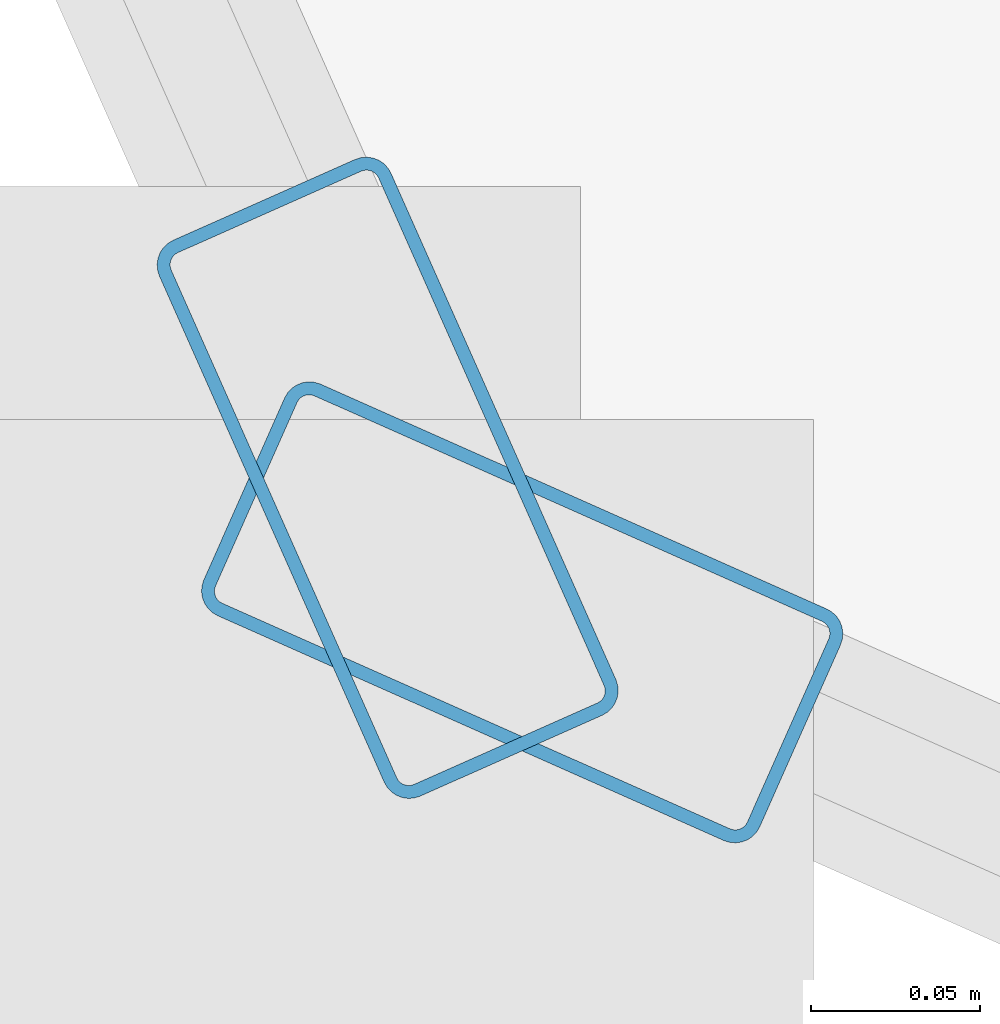
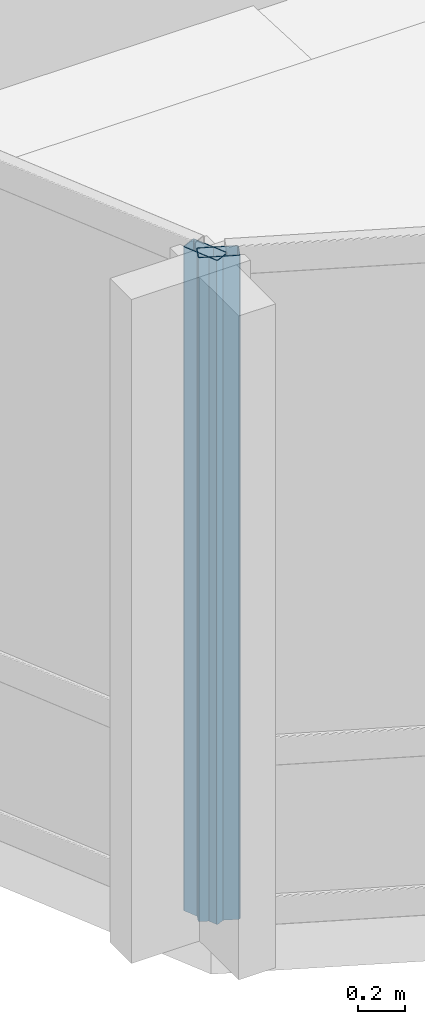
# One storey, part 2 of 34: 2 members, 2 elements without a shape of their own.
"""IFC4 building model written with IfcOpenShell, lengths in metres."""

from ifc_helpers import new_model, si_unit, direction, frame, origin, origin_2d, place, context, subcontext, project, spatial, hollow_rectangle, extrude, material, layer, layer_set, material_profile, profile_set, type_object, element, aggregate, save


model = new_model("IFC4")

# Units and contexts
model_context = context("Model", 3, precision=1e-05, world=origin(), true_north=direction((0.0, 1.0)))
body_context = subcontext(model_context, "Body", "Model", "MODEL_VIEW")
ifc_project = project(units=[si_unit("LENGTHUNIT", "METRE"), si_unit("AREAUNIT", "SQUARE_METRE"), si_unit("VOLUMEUNIT", "CUBIC_METRE"), si_unit("PLANEANGLEUNIT", "RADIAN"), si_unit("MASSUNIT", "GRAM", prefix="KILO")], contexts=[model_context])

# Site, building, storey
site_placement = place(None, origin())
site = spatial("IfcSite", under=ifc_project, at=site_placement, CompositionType="ELEMENT")
building_placement = place(site_placement, origin())
building = spatial("IfcBuilding", under=site, at=building_placement, Name="Solvaryn Broadcast Tower", CompositionType="ELEMENT")
storey_placement = place(building_placement, frame((0.0, 0.0, 36.0)))
storey = spatial("IfcBuildingStorey", under=building, at=storey_placement, Name="L07", CompositionType="ELEMENT", Elevation=36.0)

# Curtain wall, member
ifc_material_1 = material(Name="Aluminium and Terracotta Unitised Curtain Wall", Category="masonry")
ifc_layer_1 = layer(ifc_material_1, 0.239990234375)
ifc_layer_set_1 = layer_set([ifc_layer_1], Name="CW-SYS3-BAYBOX")
curtain_wall_type_1 = type_object("IfcCurtainWallType", Name="CW-SYS3-BAYBOX", PredefinedType="NOTDEFINED", material=ifc_layer_set_1)
curtain_wall_1_placement = place(storey_placement, origin())
curtain_wall_1 = element("IfcCurtainWall", 1, at=curtain_wall_1_placement, inside=storey, type_object=curtain_wall_type_1, Name="L07 Curtain Wall DR2", PredefinedType="NOTDEFINED")
ifc_material_2 = material(Name="Anodised Aluminium 6063-T6", Category="aluminium")
ifc_material_profile = material_profile(ifc_material_2, hollow_rectangle(XDim=0.074951171875, YDim=0.179931640625, WallThickness=0.00390625, InnerFilletRadius=0.00390625, OuterFilletRadius=0.008056640625, at=origin_2d()))
ifc_profile_set = profile_set([ifc_material_profile], Name="Anodised Aluminium 6063-T6")
member_type = type_object("IfcMemberType", Name="CW-MUL-180", PredefinedType="MULLION", material=ifc_profile_set)
member_1_placement = place(storey_placement, frame((7.834716796875, 7.87451171875, 0.0), z_axis=(0.0, 0.0, 1.0), x_axis=(0.913918257271, 0.405898286554, 0.0)))
member_1 = element("IfcMember", 2, at=member_1_placement, type_object=member_type, Name="CWS3 mullion 2", PredefinedType="MULLION", context=body_context, shape_type="SweptSolid", body=[
    extrude(hollow_rectangle(XDim=0.074951171875, YDim=0.179931640625, WallThickness=0.00390625, InnerFilletRadius=0.00390625, OuterFilletRadius=0.008056640625, at=origin_2d()), origin(), (0.0, 0.0, 1.0), 3.419921875),
])
aggregate(curtain_wall_1, [member_1])

ifc_material_3 = material(Name="Aluminium and Terracotta Unitised Curtain Wall", Category="masonry")
ifc_layer_2 = layer(ifc_material_3, 0.199951171875)
ifc_layer_set_2 = layer_set([ifc_layer_2], Name="CW-SYS2-LOWMID")
curtain_wall_type_2 = type_object("IfcCurtainWallType", Name="CW-SYS2-LOWMID", PredefinedType="NOTDEFINED", material=ifc_layer_set_2)
curtain_wall_2_placement = place(storey_placement, origin())
curtain_wall_2 = element("IfcCurtainWall", 3, at=curtain_wall_2_placement, inside=storey, type_object=curtain_wall_type_2, Name="L07 Curtain Wall DR3", PredefinedType="NOTDEFINED")
member_2_placement = place(storey_placement, frame((7.87451171875, 7.834716796875, 0.0), z_axis=(0.0, 0.0, 1.0), x_axis=(0.405898286554, 0.913918257271, 0.0)))
member_2 = element("IfcMember", 4, at=member_2_placement, type_object=member_type, Name="CWS2 mullion 1", PredefinedType="MULLION", context=body_context, shape_type="SweptSolid", body=[
    extrude(hollow_rectangle(XDim=0.074951171875, YDim=0.179931640625, WallThickness=0.00390625, InnerFilletRadius=0.00390625, OuterFilletRadius=0.008056640625, at=origin_2d()), origin(), (0.0, 0.0, 1.0), 3.419921875),
])
aggregate(curtain_wall_2, [member_2])

save(model, "model.ifc")
